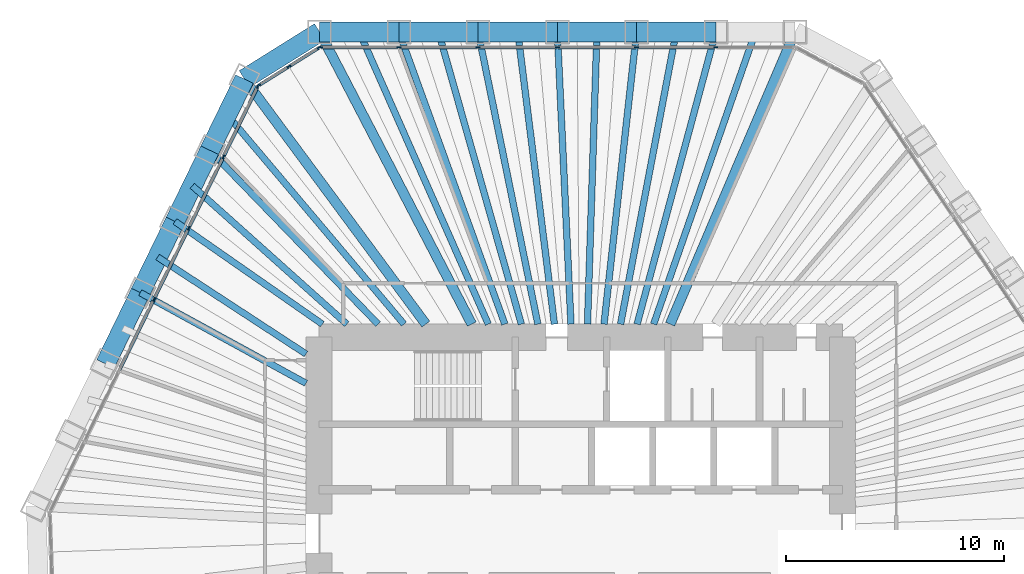
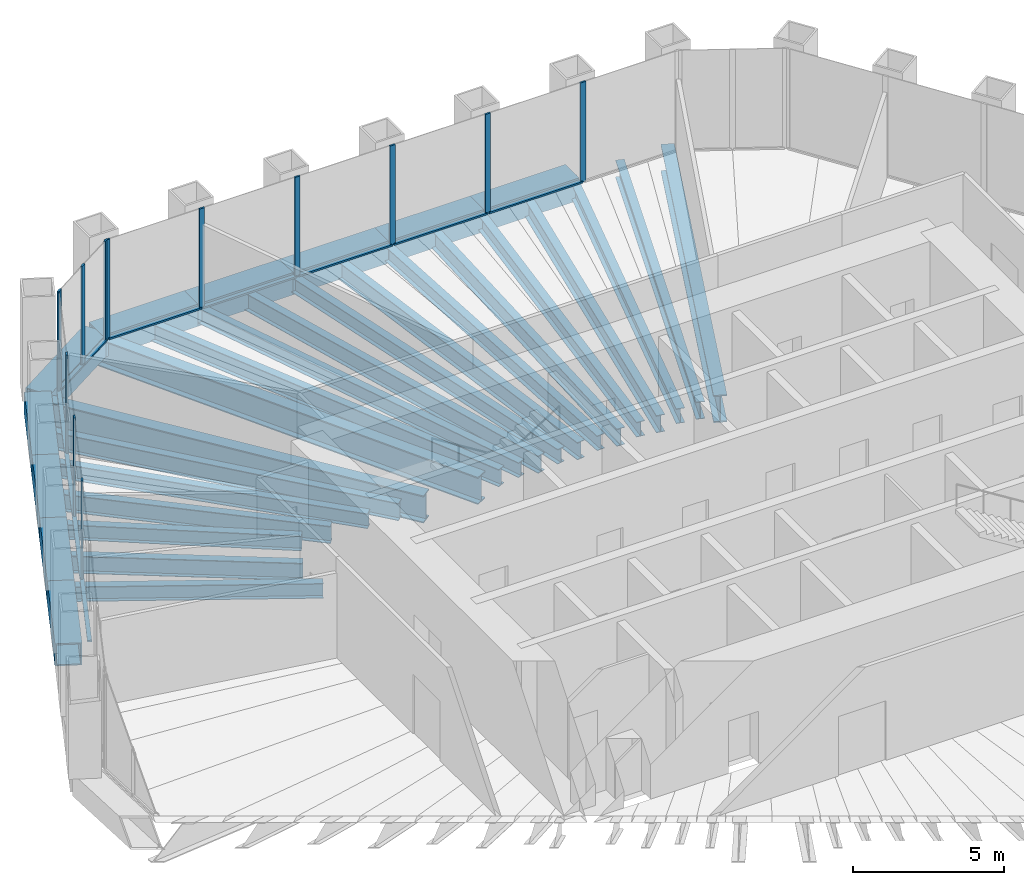
# One storey, part 6 of 13: 30 beams, 24 members, 3 elements without a shape of their own.
"""IFC4 building model written with IfcOpenShell, lengths in metres."""

from ifc_helpers import new_model, si_unit, direction, frame, origin, origin_2d, place, context, subcontext, project, spatial, rectangle, hollow_rectangle, i_section, extrude, material, material_profile, profile_set, type_object, element, aggregate, save


model = new_model("IFC4")

# Units and contexts
model_context = context("Model", 3, precision=1e-05, world=origin(), true_north=direction((0.0, 1.0)))
body_context = subcontext(model_context, "Body", "Model", "MODEL_VIEW")
ifc_project = project(units=[si_unit("LENGTHUNIT", "METRE"), si_unit("AREAUNIT", "SQUARE_METRE"), si_unit("VOLUMEUNIT", "CUBIC_METRE"), si_unit("PLANEANGLEUNIT", "RADIAN"), si_unit("MASSUNIT", "GRAM", prefix="KILO")], contexts=[model_context])

# Site, building, storey
site_placement = place(None, origin())
site = spatial("IfcSite", under=ifc_project, at=site_placement, CompositionType="ELEMENT")
building_placement = place(site_placement, origin())
building = spatial("IfcBuilding", under=site, at=building_placement, Name="Qingtian Harvest Tower", CompositionType="ELEMENT")
storey_placement = place(building_placement, frame((0.0, 0.0, 188.800048828125)))
storey = spatial("IfcBuildingStorey", under=building, at=storey_placement, Name="L40", CompositionType="ELEMENT", Elevation=188.800048828125)

# Beams
ifc_material_1 = material(Name="Steel SM570MC", Category="steel")
ifc_material_profile_1 = material_profile(ifc_material_1, i_section(OverallWidth=0.449951171875, OverallDepth=1.10009765625, WebThickness=0.02197265625, FlangeThickness=0.044921875, at=origin_2d()), Name="H1100x450x22x45")
ifc_profile_set_1 = profile_set([ifc_material_profile_1], Name="Steel SM570MC")
beam_type_1 = type_object("IfcBeamType", Name="Corner floor beam FB8 H1100x450x22x45", PredefinedType="BEAM", material=ifc_profile_set_1)
beam_1_placement = place(storey_placement, frame((-11.971923828125, 23.0, -0.719970703125), z_axis=(0.461712460868, -0.887029651973, 0.0), x_axis=(0.887029651973, 0.461712460868, 0.0)))
element("IfcBeam", 1, at=beam_1_placement, inside=storey, type_object=beam_type_1, Name="Floor beam FB8 N0", PredefinedType="BEAM", context=body_context, shape_type="SweptSolid", body=[
    extrude(i_section(OverallWidth=0.449951171875, OverallDepth=1.10009765625, WebThickness=0.02197265625, FlangeThickness=0.044921875, at=origin_2d()), origin(), (0.0, 0.0, 1.0), 15.1064453125),
])
beam_2_placement = place(storey_placement, frame((9.829345703125, 23.0, -0.719970703125), z_axis=(-0.392976835482, -0.91954837109, 0.0), x_axis=(0.91954837109, -0.392976835482, 0.0)))
element("IfcBeam", 2, at=beam_2_placement, inside=storey, type_object=beam_type_1, Name="Floor beam FB8 N6", PredefinedType="BEAM", context=body_context, shape_type="SweptSolid", body=[
    extrude(i_section(OverallWidth=0.449951171875, OverallDepth=1.10009765625, WebThickness=0.02197265625, FlangeThickness=0.044921875, at=origin_2d()), origin(), (0.0, 0.0, 1.0), 14.572265625),
])
beam_3_placement = place(storey_placement, frame((-15.424072265625, 20.8427734375, -0.719970703125), z_axis=(0.594854284538, -0.803833552526, 0.0), x_axis=(0.803833552526, 0.594854284538, 0.0)))
element("IfcBeam", 3, at=beam_3_placement, inside=storey, type_object=beam_type_1, Name="Floor beam FB8 NW6", PredefinedType="BEAM", context=body_context, shape_type="SweptSolid", body=[
    extrude(i_section(OverallWidth=0.449951171875, OverallDepth=1.10009765625, WebThickness=0.02197265625, FlangeThickness=0.044921875, at=origin_2d()), origin(), (0.0, 0.0, 1.0), 13.986328125),
])
ifc_material_2 = material(Name="Steel SN490B", Category="steel")
ifc_material_profile_2 = material_profile(ifc_material_2, i_section(OverallWidth=0.300048828125, OverallDepth=0.60009765625, WebThickness=0.011962890625, FlangeThickness=0.02001953125, at=origin_2d()), Name="H600x300x12x20")
ifc_profile_set_2 = profile_set([ifc_material_profile_2], Name="Steel SN490B")
beam_type_2 = type_object("IfcBeamType", Name="Floor beam FB3 H600x300x12x20", PredefinedType="BEAM", material=ifc_profile_set_2)
beam_4_placement = place(storey_placement, frame((-8.33837890625, 23.0, -0.469970703125), z_axis=(0.340826952705, -0.94012604916, 0.0), x_axis=(0.94012604916, 0.340826952705, 0.0)))
element("IfcBeam", 4, at=beam_4_placement, inside=storey, type_object=beam_type_2, Name="Floor beam FB3 N1", PredefinedType="BEAM", context=body_context, shape_type="SweptSolid", body=[
    extrude(i_section(OverallWidth=0.300048828125, OverallDepth=0.60009765625, WebThickness=0.011962890625, FlangeThickness=0.02001953125, at=origin_2d()), origin(), (0.0, 0.0, 1.0), 14.25341796875),
])
beam_5_placement = place(storey_placement, frame((-4.704833984375, 23.0, -0.469970703125), z_axis=(0.200401687601, -0.979713817197, 0.0), x_axis=(0.979713817197, 0.200401687601, 0.0)))
element("IfcBeam", 5, at=beam_5_placement, inside=storey, type_object=beam_type_2, Name="Floor beam FB3 N2", PredefinedType="BEAM", context=body_context, shape_type="SweptSolid", body=[
    extrude(i_section(OverallWidth=0.300048828125, OverallDepth=0.60009765625, WebThickness=0.011962890625, FlangeThickness=0.02001953125, at=origin_2d()), origin(), (0.0, 0.0, 1.0), 13.67724609375),
])
beam_6_placement = place(storey_placement, frame((-1.0712890625, 23.0, -0.469970703125), z_axis=(0.04651883736, -0.998917412888, 0.0), x_axis=(0.998917412888, 0.04651883736, 0.0)))
element("IfcBeam", 6, at=beam_6_placement, inside=storey, type_object=beam_type_2, Name="Floor beam FB3 N3", PredefinedType="BEAM", context=body_context, shape_type="SweptSolid", body=[
    extrude(i_section(OverallWidth=0.300048828125, OverallDepth=0.60009765625, WebThickness=0.011962890625, FlangeThickness=0.02001953125, at=origin_2d()), origin(), (0.0, 0.0, 1.0), 13.414306640625),
])
beam_7_placement = place(storey_placement, frame((2.562255859375, 23.0, -0.469970703125), z_axis=(-0.110727645803, -0.993850787822, 0.0), x_axis=(0.993850787822, -0.110727645803, 0.0)))
element("IfcBeam", 7, at=beam_7_placement, inside=storey, type_object=beam_type_2, Name="Floor beam FB3 N4", PredefinedType="BEAM", context=body_context, shape_type="SweptSolid", body=[
    extrude(i_section(OverallWidth=0.300048828125, OverallDepth=0.60009765625, WebThickness=0.011962890625, FlangeThickness=0.02001953125, at=origin_2d()), origin(), (0.0, 0.0, 1.0), 13.48291015625),
])
beam_8_placement = place(storey_placement, frame((6.19580078125, 23.0, -0.469970703125), z_axis=(-0.260121100906, -0.965576000563, 0.0), x_axis=(0.965576000563, -0.260121100906, 0.0)))
element("IfcBeam", 8, at=beam_8_placement, inside=storey, type_object=beam_type_2, Name="Floor beam FB3 N5", PredefinedType="BEAM", context=body_context, shape_type="SweptSolid", body=[
    extrude(i_section(OverallWidth=0.300048828125, OverallDepth=0.60009765625, WebThickness=0.011962890625, FlangeThickness=0.02001953125, at=origin_2d()), origin(), (0.0, 0.0, 1.0), 13.877685546875),
])
beam_9_placement = place(storey_placement, frame((-20.20263671875, 11.04541015625, -0.469970703125), z_axis=(0.87742673539, -0.479710666988, 0.0), x_axis=(0.479710666988, 0.87742673539, 0.0)))
element("IfcBeam", 9, at=beam_9_placement, inside=storey, type_object=beam_type_2, Name="Floor beam FB3 NW3", PredefinedType="BEAM", context=body_context, shape_type="SweptSolid", body=[
    extrude(i_section(OverallWidth=0.300048828125, OverallDepth=0.60009765625, WebThickness=0.011962890625, FlangeThickness=0.02001953125, at=origin_2d()), origin(), (0.0, 0.0, 1.0), 8.66455078125),
])
beam_10_placement = place(storey_placement, frame((-18.60986328125, 14.311279296875, -0.469970703125), z_axis=(0.820407854234, -0.571778762032, 0.0), x_axis=(0.571778762032, 0.820407854234, 0.0)))
element("IfcBeam", 10, at=beam_10_placement, inside=storey, type_object=beam_type_2, Name="Floor beam FB3 NW4", PredefinedType="BEAM", context=body_context, shape_type="SweptSolid", body=[
    extrude(i_section(OverallWidth=0.300048828125, OverallDepth=0.60009765625, WebThickness=0.011962890625, FlangeThickness=0.02001953125, at=origin_2d()), origin(), (0.0, 0.0, 1.0), 8.239501953125),
])
beam_11_placement = place(storey_placement, frame((-17.016845703125, 17.5771484375, -0.469970703125), z_axis=(0.695569024353, -0.718459276759, 0.0), x_axis=(0.718459276759, 0.695569024353, 0.0)))
element("IfcBeam", 11, at=beam_11_placement, inside=storey, type_object=beam_type_2, Name="Floor beam FB3 NW5", PredefinedType="BEAM", context=body_context, shape_type="SweptSolid", body=[
    extrude(i_section(OverallWidth=0.300048828125, OverallDepth=0.60009765625, WebThickness=0.011962890625, FlangeThickness=0.02001953125, at=origin_2d()), origin(), (0.0, 0.0, 1.0), 11.10302734375),
])
ifc_material_3 = material(Name="Steel SN490B", Category="steel")
ifc_material_profile_3 = material_profile(ifc_material_3, i_section(OverallWidth=0.300048828125, OverallDepth=0.699951171875, WebThickness=0.012939453125, FlangeThickness=0.02392578125, at=origin_2d()), Name="H700x300x13x24")
ifc_profile_set_3 = profile_set([ifc_material_profile_3], Name="Steel SN490B")
beam_type_3 = type_object("IfcBeamType", Name="Floor joist J2 H700x300x13x24", PredefinedType="JOIST", material=ifc_profile_set_3)
beam_12_placement = place(storey_placement, frame((-10.1552734375, 23.0, -0.52001953125), z_axis=(0.40391347792, -0.914797191925, 0.0), x_axis=(0.914797191925, 0.40391347792, 0.0)))
element("IfcBeam", 12, at=beam_12_placement, inside=storey, type_object=beam_type_3, Name="Floor joist J2 N0", PredefinedType="JOIST", context=body_context, shape_type="SweptSolid", body=[
    extrude(i_section(OverallWidth=0.300048828125, OverallDepth=0.699951171875, WebThickness=0.012939453125, FlangeThickness=0.02392578125, at=origin_2d()), origin(), (0.0, 0.0, 1.0), 14.64794921875),
])
beam_13_placement = place(storey_placement, frame((-6.521728515625, 23.0, -0.52001953125), z_axis=(0.272796737564, -0.962071691702, 0.0), x_axis=(0.962071691702, 0.272796737564, 0.0)))
element("IfcBeam", 13, at=beam_13_placement, inside=storey, type_object=beam_type_3, Name="Floor joist J2 N1", PredefinedType="JOIST", context=body_context, shape_type="SweptSolid", body=[
    extrude(i_section(OverallWidth=0.300048828125, OverallDepth=0.699951171875, WebThickness=0.012939453125, FlangeThickness=0.02392578125, at=origin_2d()), origin(), (0.0, 0.0, 1.0), 13.92822265625),
])
beam_14_placement = place(storey_placement, frame((-2.88818359375, 23.0, -0.52001953125), z_axis=(0.124590949529, -0.992208191508, 0.0), x_axis=(0.992208191508, 0.124590949529, 0.0)))
element("IfcBeam", 14, at=beam_14_placement, inside=storey, type_object=beam_type_3, Name="Floor joist J2 N2", PredefinedType="JOIST", context=body_context, shape_type="SweptSolid", body=[
    extrude(i_section(OverallWidth=0.300048828125, OverallDepth=0.699951171875, WebThickness=0.012939453125, FlangeThickness=0.02392578125, at=origin_2d()), origin(), (0.0, 0.0, 1.0), 13.505126953125),
])
beam_15_placement = place(storey_placement, frame((0.745361328125, 23.0, -0.52001953125), z_axis=(-0.032395624487, -0.99947512401, 0.0), x_axis=(0.99947512401, -0.032395624487, 0.0)))
element("IfcBeam", 15, at=beam_15_placement, inside=storey, type_object=beam_type_3, Name="Floor joist J2 N3", PredefinedType="JOIST", context=body_context, shape_type="SweptSolid", body=[
    extrude(i_section(OverallWidth=0.300048828125, OverallDepth=0.699951171875, WebThickness=0.012939453125, FlangeThickness=0.02392578125, at=origin_2d()), origin(), (0.0, 0.0, 1.0), 13.406982421875),
])
beam_16_placement = place(storey_placement, frame((4.37890625, 23.0, -0.52001953125), z_axis=(-0.187034797062, -0.982353289142, 0.0), x_axis=(0.982353289142, -0.187034797062, 0.0)))
element("IfcBeam", 16, at=beam_16_placement, inside=storey, type_object=beam_type_3, Name="Floor joist J2 N4", PredefinedType="JOIST", context=body_context, shape_type="SweptSolid", body=[
    extrude(i_section(OverallWidth=0.300048828125, OverallDepth=0.699951171875, WebThickness=0.012939453125, FlangeThickness=0.02392578125, at=origin_2d()), origin(), (0.0, 0.0, 1.0), 13.640625),
])
beam_17_placement = place(storey_placement, frame((8.012451171875, 23.0, -0.52001953125), z_axis=(-0.328969033283, -0.944340709247, 0.0), x_axis=(0.944340709247, -0.328969033283, 0.0)))
element("IfcBeam", 17, at=beam_17_placement, inside=storey, type_object=beam_type_3, Name="Floor joist J2 N5", PredefinedType="JOIST", context=body_context, shape_type="SweptSolid", body=[
    extrude(i_section(OverallWidth=0.300048828125, OverallDepth=0.699951171875, WebThickness=0.012939453125, FlangeThickness=0.02392578125, at=origin_2d()), origin(), (0.0, 0.0, 1.0), 14.189697265625),
])
beam_18_placement = place(storey_placement, frame((-19.40625, 12.678466796875, -0.52001953125), z_axis=(0.837161066611, -0.546956441182, 0.0), x_axis=(0.546956441182, 0.837161066611, 0.0)))
element("IfcBeam", 18, at=beam_18_placement, inside=storey, type_object=beam_type_3, Name="Floor joist J2 NW3", PredefinedType="JOIST", context=body_context, shape_type="SweptSolid", body=[
    extrude(i_section(OverallWidth=0.300048828125, OverallDepth=0.699951171875, WebThickness=0.012939453125, FlangeThickness=0.02392578125, at=origin_2d()), origin(), (0.0, 0.0, 1.0), 8.130126953125),
])
beam_19_placement = place(storey_placement, frame((-17.813232421875, 15.944091796875, -0.52001953125), z_axis=(0.745126517589, -0.66692313859, 0.0), x_axis=(0.66692313859, 0.745126517589, 0.0)))
element("IfcBeam", 19, at=beam_19_placement, inside=storey, type_object=beam_type_3, Name="Floor joist J2 NW4", PredefinedType="JOIST", context=body_context, shape_type="SweptSolid", body=[
    extrude(i_section(OverallWidth=0.300048828125, OverallDepth=0.699951171875, WebThickness=0.012939453125, FlangeThickness=0.02392578125, at=origin_2d()), origin(), (0.0, 0.0, 1.0), 9.512451171875),
])
beam_20_placement = place(storey_placement, frame((-16.220458984375, 19.2099609375, -0.52001953125), z_axis=(0.645157903911, -0.764049264787, 0.0), x_axis=(0.764049264787, 0.645157903911, 0.0)))
element("IfcBeam", 20, at=beam_20_placement, inside=storey, type_object=beam_type_3, Name="Floor joist J2 NW5", PredefinedType="JOIST", context=body_context, shape_type="SweptSolid", body=[
    extrude(i_section(OverallWidth=0.300048828125, OverallDepth=0.699951171875, WebThickness=0.012939453125, FlangeThickness=0.02392578125, at=origin_2d()), origin(), (0.0, 0.0, 1.0), 12.57763671875),
])

# Curtain wall, members
ifc_material_4 = material(Name="Bronze-anodised aluminium curtain wall", Category="aluminium")
curtain_wall_type = type_object("IfcCurtainWallType", Name="Curtain wall CW4 office", PredefinedType="USERDEFINED", material=ifc_material_4)
curtain_wall_1_placement = place(storey_placement, origin())
curtain_wall_1 = element("IfcCurtainWall", 21, at=curtain_wall_1_placement, inside=storey, type_object=curtain_wall_type, Name="Curtain wall CW4 L40 N0-5", ObjectType="RECESSED CURTAIN WALL", PredefinedType="USERDEFINED")
ifc_material_5 = material(Name="Bronze-anodised aluminium mullion", Category="aluminium")
ifc_material_profile_4 = material_profile(ifc_material_5, rectangle(XDim=0.06494140625, YDim=0.199951171875, at=origin_2d()), Name="AL 65x200")
ifc_profile_set_4 = profile_set([ifc_material_profile_4], Name="Bronze-anodised aluminium mullion")
member_type_1 = type_object("IfcMemberType", Name="Mullion CWM 65x200", PredefinedType="MULLION", material=ifc_profile_set_4)
member_1_placement = place(storey_placement, frame((-11.939453125, 22.300048828125, 0.0), z_axis=(0.0, 0.0, 1.0), x_axis=(0.0, 1.0, 0.0)))
member_1 = element("IfcMember", 22, at=member_1_placement, type_object=member_type_1, Name="CW4 mullion 1", PredefinedType="MULLION", context=body_context, shape_type="SweptSolid", body=[
    extrude(rectangle(XDim=0.06494140625, YDim=0.199951171875, at=origin_2d()), origin(), (0.0, 0.0, 1.0), 4.030029296875),
])
member_2_placement = place(storey_placement, frame((-8.33837890625, 22.300048828125, 0.0), z_axis=(0.0, 0.0, 1.0), x_axis=(0.0, 1.0, 0.0)))
member_2 = element("IfcMember", 23, at=member_2_placement, type_object=member_type_1, Name="CW4 mullion 2", PredefinedType="MULLION", context=body_context, shape_type="SweptSolid", body=[
    extrude(rectangle(XDim=0.06494140625, YDim=0.199951171875, at=origin_2d()), origin(), (0.0, 0.0, 1.0), 4.030029296875),
])
member_3_placement = place(storey_placement, frame((-4.704833984375, 22.300048828125, 0.0), z_axis=(0.0, 0.0, 1.0), x_axis=(0.0, 1.0, 0.0)))
member_3 = element("IfcMember", 24, at=member_3_placement, type_object=member_type_1, Name="CW4 mullion 3", PredefinedType="MULLION", context=body_context, shape_type="SweptSolid", body=[
    extrude(rectangle(XDim=0.06494140625, YDim=0.199951171875, at=origin_2d()), origin(), (0.0, 0.0, 1.0), 4.030029296875),
])
member_4_placement = place(storey_placement, frame((-1.0712890625, 22.300048828125, 0.0), z_axis=(0.0, 0.0, 1.0), x_axis=(0.0, 1.0, 0.0)))
member_4 = element("IfcMember", 25, at=member_4_placement, type_object=member_type_1, Name="CW4 mullion 4", PredefinedType="MULLION", context=body_context, shape_type="SweptSolid", body=[
    extrude(rectangle(XDim=0.06494140625, YDim=0.199951171875, at=origin_2d()), origin(), (0.0, 0.0, 1.0), 4.030029296875),
])
member_5_placement = place(storey_placement, frame((2.562255859375, 22.300048828125, 0.0), z_axis=(0.0, 0.0, 1.0), x_axis=(0.0, 1.0, 0.0)))
member_5 = element("IfcMember", 26, at=member_5_placement, type_object=member_type_1, Name="CW4 mullion 5", PredefinedType="MULLION", context=body_context, shape_type="SweptSolid", body=[
    extrude(rectangle(XDim=0.06494140625, YDim=0.199951171875, at=origin_2d()), origin(), (0.0, 0.0, 1.0), 4.030029296875),
])
member_6_placement = place(storey_placement, frame((6.19580078125, 22.300048828125, 0.0), z_axis=(0.0, 0.0, 1.0), x_axis=(0.0, 1.0, 0.0)))
member_6 = element("IfcMember", 27, at=member_6_placement, type_object=member_type_1, Name="CW4 mullion 6", PredefinedType="MULLION", context=body_context, shape_type="SweptSolid", body=[
    extrude(rectangle(XDim=0.06494140625, YDim=0.199951171875, at=origin_2d()), origin(), (0.0, 0.0, 1.0), 4.030029296875),
])

curtain_wall_2_placement = place(storey_placement, origin())
curtain_wall_2 = element("IfcCurtainWall", 28, at=curtain_wall_2_placement, inside=storey, type_object=curtain_wall_type, Name="Curtain wall CW4 L40 NW0-5", ObjectType="RECESSED CURTAIN WALL", PredefinedType="USERDEFINED")
member_7_placement = place(storey_placement, frame((-19.573486328125, 10.738525390625, 0.0), z_axis=(0.0, 0.0, 1.0), x_axis=(-0.898794046299, 0.438371146789, 0.0)))
member_7 = element("IfcMember", 29, at=member_7_placement, type_object=member_type_1, Name="CW4 mullion 4", PredefinedType="MULLION", context=body_context, shape_type="SweptSolid", body=[
    extrude(rectangle(XDim=0.06494140625, YDim=0.199951171875, at=origin_2d()), origin(), (0.0, 0.0, 1.0), 4.030029296875),
])
member_8_placement = place(storey_placement, frame((-17.980712890625, 14.00439453125, 0.0), z_axis=(0.0, 0.0, 1.0), x_axis=(-0.898794046299, 0.438371146789, 0.0)))
member_8 = element("IfcMember", 30, at=member_8_placement, type_object=member_type_1, Name="CW4 mullion 5", PredefinedType="MULLION", context=body_context, shape_type="SweptSolid", body=[
    extrude(rectangle(XDim=0.06494140625, YDim=0.199951171875, at=origin_2d()), origin(), (0.0, 0.0, 1.0), 4.030029296875),
])
member_9_placement = place(storey_placement, frame((-16.3876953125, 17.270263671875, 0.0), z_axis=(0.0, 0.0, 1.0), x_axis=(-0.898794046299, 0.438371146789, 0.0)))
member_9 = element("IfcMember", 31, at=member_9_placement, type_object=member_type_1, Name="CW4 mullion 6", PredefinedType="MULLION", context=body_context, shape_type="SweptSolid", body=[
    extrude(rectangle(XDim=0.06494140625, YDim=0.199951171875, at=origin_2d()), origin(), (0.0, 0.0, 1.0), 4.030029296875),
])
member_10_placement = place(storey_placement, frame((-14.80908203125, 20.5068359375, 0.0), z_axis=(0.0, 0.0, 1.0), x_axis=(-0.898794046299, 0.438371146789, 0.0)))
member_10 = element("IfcMember", 32, at=member_10_placement, type_object=member_type_1, Name="CW4 mullion 7", PredefinedType="MULLION", context=body_context, shape_type="SweptSolid", body=[
    extrude(rectangle(XDim=0.06494140625, YDim=0.199951171875, at=origin_2d()), origin(), (0.0, 0.0, 1.0), 4.030029296875),
])

curtain_wall_3_placement = place(storey_placement, origin())
curtain_wall_3 = element("IfcCurtainWall", 33, at=curtain_wall_3_placement, inside=storey, type_object=curtain_wall_type, Name="Curtain wall CW4 L40 NWC", ObjectType="RECESSED CURTAIN WALL", PredefinedType="USERDEFINED")
member_11_placement = place(storey_placement, frame((-14.767333984375, 20.55322265625, 0.0), z_axis=(0.0, 0.0, 1.0), x_axis=(-0.529919264233, 0.848048096156, 0.0)))
member_11 = element("IfcMember", 34, at=member_11_placement, type_object=member_type_1, Name="CW4 mullion 1", PredefinedType="MULLION", context=body_context, shape_type="SweptSolid", body=[
    extrude(rectangle(XDim=0.06494140625, YDim=0.199951171875, at=origin_2d()), origin(), (0.0, 0.0, 1.0), 4.030029296875),
])
member_12_placement = place(storey_placement, frame((-13.383544921875, 21.41796875, 0.0), z_axis=(0.0, 0.0, 1.0), x_axis=(-0.529919264233, 0.848048096156, 0.0)))
member_12 = element("IfcMember", 35, at=member_12_placement, type_object=member_type_1, Name="CW4 mullion 2", PredefinedType="MULLION", context=body_context, shape_type="SweptSolid", body=[
    extrude(rectangle(XDim=0.06494140625, YDim=0.199951171875, at=origin_2d()), origin(), (0.0, 0.0, 1.0), 4.030029296875),
])
member_13_placement = place(storey_placement, frame((-11.99951171875, 22.28271484375, 0.0), z_axis=(0.0, 0.0, 1.0), x_axis=(-0.529919264233, 0.848048096156, 0.0)))
member_13 = element("IfcMember", 36, at=member_13_placement, type_object=member_type_1, Name="CW4 mullion 3", PredefinedType="MULLION", context=body_context, shape_type="SweptSolid", body=[
    extrude(rectangle(XDim=0.06494140625, YDim=0.199951171875, at=origin_2d()), origin(), (0.0, 0.0, 1.0), 4.030029296875),
])

# Beams
ifc_material_6 = material(Name="Steel SM570MC", Category="steel")
ifc_material_profile_5 = material_profile(ifc_material_6, hollow_rectangle(XDim=0.89990234375, YDim=0.89990234375, WallThickness=0.050048828125, at=origin_2d()), Name="BOX900x900x50")
ifc_profile_set_5 = profile_set([ifc_material_profile_5], Name="Steel SM570MC")
beam_type_4 = type_object("IfcBeamType", Name="Transition spandrel SB6 BOX900x900x50", PredefinedType="SPANDREL", material=ifc_profile_set_5)
for number, where, z_axis, x_axis, name in (
    (37, (-11.971923828125, 23.0, -0.449951171875), (1.0, 0.0, 0.0), (0.0, 1.0, 0.0), "Spandrel SB6 N0"),
    (38, (-8.33837890625, 23.0, -0.449951171875), (1.0, 0.0, 0.0), (0.0, 1.0, 0.0), "Spandrel SB6 N1"),
    (39, (-4.704833984375, 23.0, -0.449951171875), (1.0, 0.0, 0.0), (0.0, 1.0, 0.0), "Spandrel SB6 N2"),
    (40, (-1.0712890625, 23.0, -0.449951171875), (1.0, 0.0, 0.0), (0.0, 1.0, 0.0), "Spandrel SB6 N3"),
    (41, (2.562255859375, 23.0, -0.449951171875), (1.0, 0.0, 0.0), (0.0, 1.0, 0.0), "Spandrel SB6 N4"),
    (42, (-21.79541015625, 7.779541015625, -0.449951171875), (0.438349498419, 0.898804604592, 0.0), (-0.898804604592, 0.438349498419, 0.0), "Spandrel SB6 NW2"),
    (43, (-20.20263671875, 11.04541015625, -0.449951171875), (0.438349498419, 0.898804604592, 0.0), (-0.898804604592, 0.438349498419, 0.0), "Spandrel SB6 NW3"),
):
    element("IfcBeam", number, at=place(storey_placement, frame(where, z_axis=z_axis, x_axis=x_axis)), inside=storey, type_object=beam_type_4, Name=name, PredefinedType="SPANDREL", context=body_context, shape_type="SweptSolid", body=[
        extrude(hollow_rectangle(XDim=0.89990234375, YDim=0.89990234375, WallThickness=0.050048828125, at=origin_2d()), origin(), (0.0, 0.0, 1.0), 3.633544921875),
    ])
beam_21_placement = place(storey_placement, frame((-18.60986328125, 14.311279296875, -0.449951171875), z_axis=(0.438403775684, 0.898778131391, 0.0), x_axis=(-0.898778131391, 0.438403775684, 0.0)))
element("IfcBeam", 44, at=beam_21_placement, inside=storey, type_object=beam_type_4, Name="Spandrel SB6 NW4", PredefinedType="SPANDREL", context=body_context, shape_type="SweptSolid", body=[
    extrude(hollow_rectangle(XDim=0.89990234375, YDim=0.89990234375, WallThickness=0.050048828125, at=origin_2d()), origin(), (0.0, 0.0, 1.0), 3.6337890625),
])
beam_22_placement = place(storey_placement, frame((-17.016845703125, 17.5771484375, -0.449951171875), z_axis=(0.43837597217, 0.898791692788, 0.0), x_axis=(-0.898791692788, 0.43837597217, 0.0)))
element("IfcBeam", 45, at=beam_22_placement, inside=storey, type_object=beam_type_4, Name="Spandrel SB6 NW5", PredefinedType="SPANDREL", context=body_context, shape_type="SweptSolid", body=[
    extrude(hollow_rectangle(XDim=0.89990234375, YDim=0.89990234375, WallThickness=0.050048828125, at=origin_2d()), origin(), (0.0, 0.0, 1.0), 3.63330078125),
])
beam_23_placement = place(storey_placement, frame((-15.424072265625, 20.8427734375, -0.449951171875), z_axis=(0.848038733752, 0.529934246919, 0.0), x_axis=(-0.529934246919, 0.848038733752, 0.0)))
element("IfcBeam", 46, at=beam_23_placement, inside=storey, type_object=beam_type_4, Name="Spandrel SB6 NWC", PredefinedType="SPANDREL", context=body_context, shape_type="SweptSolid", body=[
    extrude(hollow_rectangle(XDim=0.89990234375, YDim=0.89990234375, WallThickness=0.050048828125, at=origin_2d()), origin(), (0.0, 0.0, 1.0), 4.07080078125),
])

# Member
ifc_material_7 = material(Name="Bronze-anodised aluminium transom", Category="aluminium")
ifc_material_profile_6 = material_profile(ifc_material_7, rectangle(XDim=0.14990234375, YDim=0.06494140625, at=origin_2d()), Name="AL 65x150")
ifc_profile_set_6 = profile_set([ifc_material_profile_6], Name="Bronze-anodised aluminium transom")
member_type_2 = type_object("IfcMemberType", Name="Transom CWT 65x150", PredefinedType="USERDEFINED", material=ifc_profile_set_6)
member_14_placement = place(storey_placement, frame((-11.906982421875, 22.300048828125, 0.032470703125), z_axis=(1.0, 0.0, 0.0), x_axis=(0.0, 1.0, 0.0)))
member_14 = element("IfcMember", 47, at=member_14_placement, type_object=member_type_2, Name="CW4 transom 1.1", ObjectType="TRANSOM", PredefinedType="USERDEFINED", context=body_context, shape_type="SweptSolid", body=[
    extrude(rectangle(XDim=0.14990234375, YDim=0.06494140625, at=origin_2d()), origin(), (0.0, 0.0, 1.0), 3.5361328125),
])

member_15_placement = place(storey_placement, frame((-8.305908203125, 22.300048828125, 0.032470703125), z_axis=(1.0, 0.0, 0.0), x_axis=(0.0, 1.0, 0.0)))
member_15 = element("IfcMember", 48, at=member_15_placement, type_object=member_type_2, Name="CW4 transom 2.1", ObjectType="TRANSOM", PredefinedType="USERDEFINED", context=body_context, shape_type="SweptSolid", body=[
    extrude(rectangle(XDim=0.14990234375, YDim=0.06494140625, at=origin_2d()), origin(), (0.0, 0.0, 1.0), 3.568603515625),
])

member_16_placement = place(storey_placement, frame((-4.67236328125, 22.300048828125, 0.032470703125), z_axis=(1.0, 0.0, 0.0), x_axis=(0.0, 1.0, 0.0)))
member_16 = element("IfcMember", 49, at=member_16_placement, type_object=member_type_2, Name="CW4 transom 3.1", ObjectType="TRANSOM", PredefinedType="USERDEFINED", context=body_context, shape_type="SweptSolid", body=[
    extrude(rectangle(XDim=0.14990234375, YDim=0.06494140625, at=origin_2d()), origin(), (0.0, 0.0, 1.0), 3.568603515625),
])

member_17_placement = place(storey_placement, frame((-1.038818359375, 22.300048828125, 0.032470703125), z_axis=(1.0, 0.0, 0.0), x_axis=(0.0, 1.0, 0.0)))
member_17 = element("IfcMember", 50, at=member_17_placement, type_object=member_type_2, Name="CW4 transom 4.1", ObjectType="TRANSOM", PredefinedType="USERDEFINED", context=body_context, shape_type="SweptSolid", body=[
    extrude(rectangle(XDim=0.14990234375, YDim=0.06494140625, at=origin_2d()), origin(), (0.0, 0.0, 1.0), 3.568603515625),
])

member_18_placement = place(storey_placement, frame((2.5947265625, 22.300048828125, 0.032470703125), z_axis=(1.0, 0.0, 0.0), x_axis=(0.0, 1.0, 0.0)))
member_18 = element("IfcMember", 51, at=member_18_placement, type_object=member_type_2, Name="CW4 transom 5.1", ObjectType="TRANSOM", PredefinedType="USERDEFINED", context=body_context, shape_type="SweptSolid", body=[
    extrude(rectangle(XDim=0.14990234375, YDim=0.06494140625, at=origin_2d()), origin(), (0.0, 0.0, 1.0), 3.568603515625),
])

aggregate(curtain_wall_1, [member_1, member_2, member_3, member_4, member_5, member_6, member_14, member_15, member_16, member_17, member_18])

member_19_placement = place(storey_placement, frame((-21.152099609375, 7.501953125, 0.032470703125), z_axis=(0.438380500422, 0.898789484167, 0.0), x_axis=(-0.898789484167, 0.438380500422, 0.0)))
member_19 = element("IfcMember", 52, at=member_19_placement, type_object=member_type_2, Name="CW4 transom 3.1", ObjectType="TRANSOM", PredefinedType="USERDEFINED", context=body_context, shape_type="SweptSolid", body=[
    extrude(rectangle(XDim=0.14990234375, YDim=0.06494140625, at=origin_2d()), origin(), (0.0, 0.0, 1.0), 3.568603515625),
])

member_20_placement = place(storey_placement, frame((-19.559326171875, 10.767822265625, 0.032470703125), z_axis=(0.438407456795, 0.898776335818, 0.0), x_axis=(-0.898776335818, 0.438407456795, 0.0)))
member_20 = element("IfcMember", 53, at=member_20_placement, type_object=member_type_2, Name="CW4 transom 4.1", ObjectType="TRANSOM", PredefinedType="USERDEFINED", context=body_context, shape_type="SweptSolid", body=[
    extrude(rectangle(XDim=0.14990234375, YDim=0.06494140625, at=origin_2d()), origin(), (0.0, 0.0, 1.0), 3.568603515625),
])

member_21_placement = place(storey_placement, frame((-17.96630859375, 14.03369140625, 0.032470703125), z_axis=(0.438352188226, 0.898803292761, 0.0), x_axis=(-0.898803292761, 0.438352188226, 0.0)))
member_21 = element("IfcMember", 54, at=member_21_placement, type_object=member_type_2, Name="CW4 transom 5.1", ObjectType="TRANSOM", PredefinedType="USERDEFINED", context=body_context, shape_type="SweptSolid", body=[
    extrude(rectangle(XDim=0.14990234375, YDim=0.06494140625, at=origin_2d()), origin(), (0.0, 0.0, 1.0), 3.568359375),
])

member_22_placement = place(storey_placement, frame((-16.37353515625, 17.29931640625, 0.032470703125), z_axis=(0.438354255898, 0.898802284341, 0.0), x_axis=(-0.898802284341, 0.438354255898, 0.0)))
member_22 = element("IfcMember", 55, at=member_22_placement, type_object=member_type_2, Name="CW4 transom 6.1", ObjectType="TRANSOM", PredefinedType="USERDEFINED", context=body_context, shape_type="SweptSolid", body=[
    extrude(rectangle(XDim=0.14990234375, YDim=0.06494140625, at=origin_2d()), origin(), (0.0, 0.0, 1.0), 3.5361328125),
])

aggregate(curtain_wall_2, [member_7, member_8, member_9, member_10, member_19, member_20, member_21, member_22])

member_23_placement = place(storey_placement, frame((-14.73974609375, 20.570556640625, 0.032470703125), z_axis=(0.848015812303, 0.529970925697, 0.0), x_axis=(-0.529970925697, 0.848015812303, 0.0)))
member_23 = element("IfcMember", 56, at=member_23_placement, type_object=member_type_2, Name="CW4 transom 1.1", ObjectType="TRANSOM", PredefinedType="USERDEFINED", context=body_context, shape_type="SweptSolid", body=[
    extrude(rectangle(XDim=0.14990234375, YDim=0.06494140625, at=origin_2d()), origin(), (0.0, 0.0, 1.0), 1.566650390625),
])

member_24_placement = place(storey_placement, frame((-13.35595703125, 21.435302734375, 0.032470703125), z_axis=(0.848059570903, 0.529900900357, 0.0), x_axis=(-0.529900900357, 0.848059570903, 0.0)))
member_24 = element("IfcMember", 57, at=member_24_placement, type_object=member_type_2, Name="CW4 transom 2.1", ObjectType="TRANSOM", PredefinedType="USERDEFINED", context=body_context, shape_type="SweptSolid", body=[
    extrude(rectangle(XDim=0.14990234375, YDim=0.06494140625, at=origin_2d()), origin(), (0.0, 0.0, 1.0), 1.56689453125),
])

aggregate(curtain_wall_3, [member_11, member_12, member_13, member_23, member_24])

save(model, "model.ifc")
